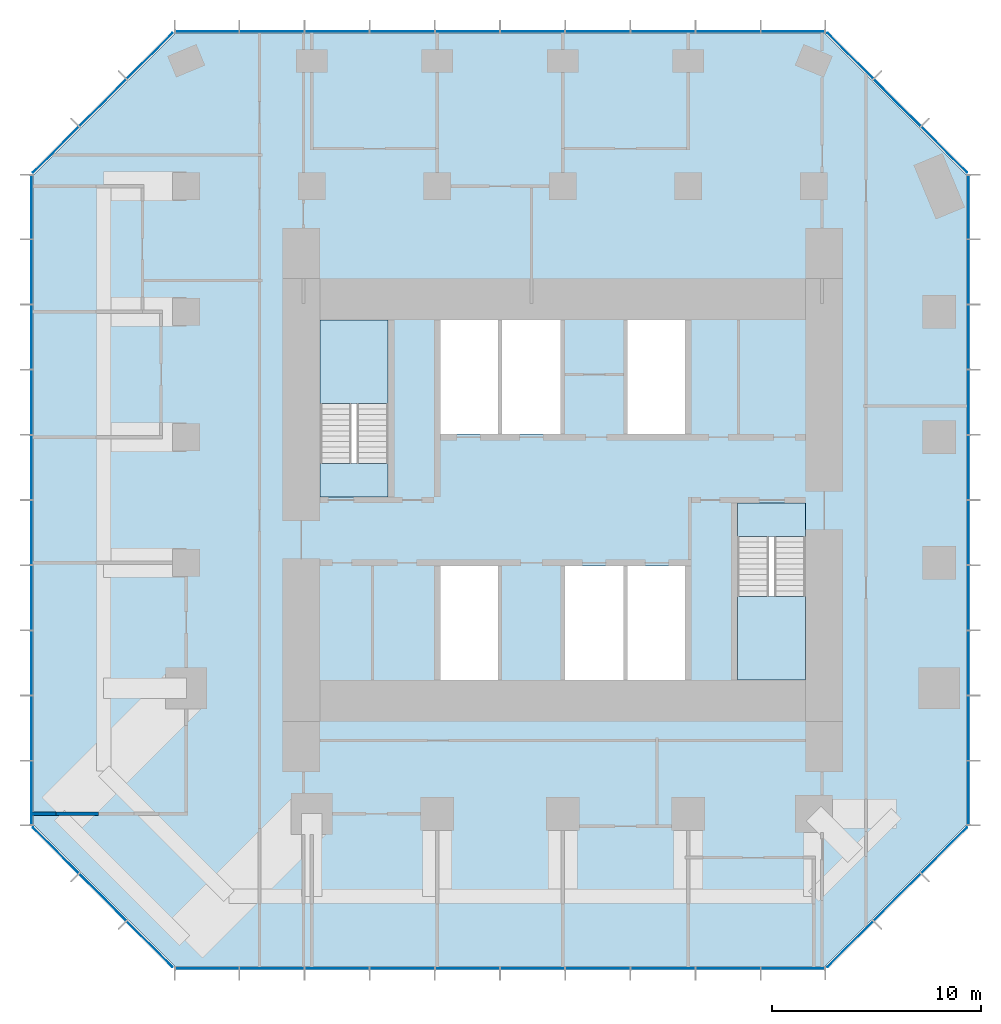
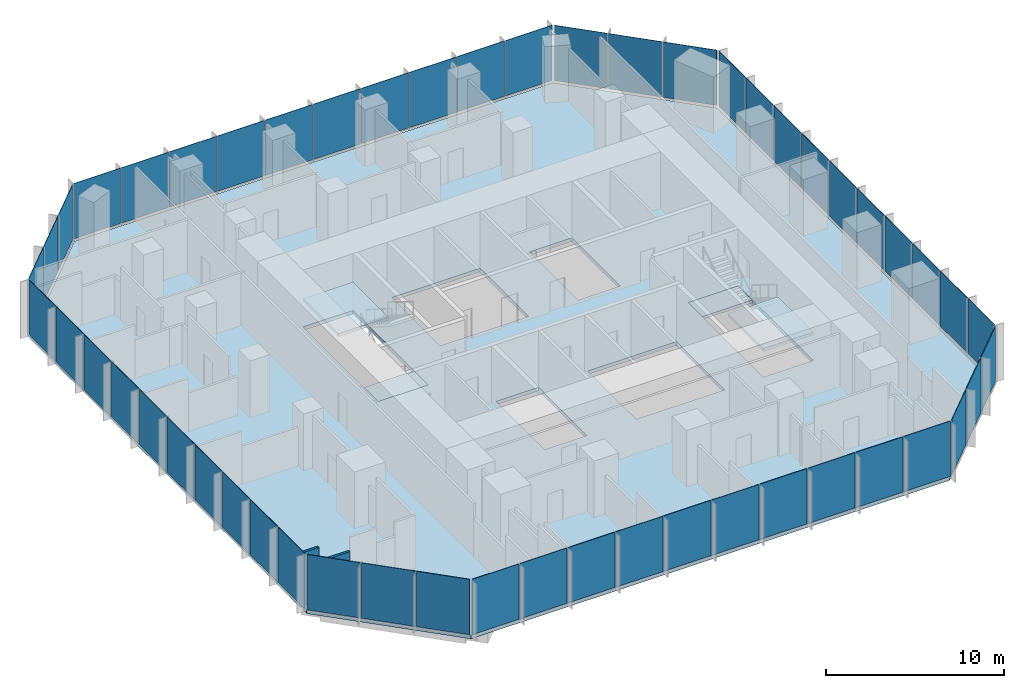
# One storey, part 7 of 12: 52 plates, 5 slabs, 2 walls, 10 elements without a shape of their own.
"""IFC4 building model written with IfcOpenShell, lengths in metres."""

from ifc_helpers import new_model, si_unit, direction, frame, frame_2d, origin, origin_2d, place, context, subcontext, project, spatial, polyline, rectangle, outline, extrude, material, layer, layer_set, type_object, element, aggregate, save


model = new_model("IFC4")

# Units and contexts
model_context = context("Model", 3, precision=1e-05, world=origin(), true_north=direction((0.0, 1.0)))
body_context = subcontext(model_context, "Body", "Model", "MODEL_VIEW")
ifc_project = project(units=[si_unit("LENGTHUNIT", "METRE"), si_unit("AREAUNIT", "SQUARE_METRE"), si_unit("VOLUMEUNIT", "CUBIC_METRE"), si_unit("PLANEANGLEUNIT", "RADIAN"), si_unit("MASSUNIT", "GRAM", prefix="KILO")], contexts=[model_context])

# Site, building, storey
site_placement = place(None, origin())
site = spatial("IfcSite", under=ifc_project, at=site_placement, CompositionType="ELEMENT")
building_placement = place(site_placement, origin())
building = spatial("IfcBuilding", under=site, at=building_placement, Name="Highveld Stack Headquarters", CompositionType="ELEMENT")
storey_placement = place(building_placement, frame((0.0, 0.0, 231.800048828125)))
storey = spatial("IfcBuildingStorey", under=building, at=storey_placement, Name="L57", CompositionType="ELEMENT", Elevation=231.800048828125)

# Curtain wall, plates
ifc_material_1 = material(Name="Aluminium bronze anodised", Category="aluminium")
ifc_layer_1 = layer(ifc_material_1, 0.199951171875)
ifc_layer_set_1 = layer_set([ifc_layer_1], Name="Aluminium bronze anodised")
curtain_wall_type_1 = type_object("IfcCurtainWallType", Name="CW1 TOWER UNITISED CURTAIN WALL", PredefinedType="NOTDEFINED", material=ifc_layer_set_1)
curtain_wall_1_placement = place(storey_placement, origin())
curtain_wall_1 = element("IfcCurtainWall", 1, at=curtain_wall_1_placement, inside=storey, type_object=curtain_wall_type_1, Name="Curtain wall CW1 L57 S", PredefinedType="NOTDEFINED")
ifc_material_2 = material(Name="Glass bronze tinted double glazed unit", Category="glass")
ifc_layer_2 = layer(ifc_material_2, 0.028076171875)
ifc_layer_set_2 = layer_set([ifc_layer_2], Name="Glass bronze tinted double glazed unit")
plate_type_1 = type_object("IfcPlateType", Name="CW1 PANEL BRONZE TINTED DOUBLE GLAZED UNIT", PredefinedType="CURTAIN_PANEL", material=ifc_layer_set_2)
plate_1_placement = place(storey_placement, frame((-11.005615234375, -19.39990234375, 0.10009765625), z_axis=(0.0, 0.0, 1.0), x_axis=(1.0, 0.0, 0.0)))
plate_1 = element("IfcPlate", 2, at=plate_1_placement, type_object=plate_type_1, Name="CW1 panel L57 1.1", PredefinedType="CURTAIN_PANEL", context=body_context, shape_type="SweptSolid", body=[
    extrude(rectangle(XDim=3.0185546875, YDim=0.028076171875, at=origin_2d()), origin(), (0.0, 0.0, 1.0), 3.800048828125),
])
plate_2_placement = place(storey_placement, frame((-7.906005859375, -19.39990234375, 0.10009765625), z_axis=(0.0, 0.0, 1.0), x_axis=(1.0, 0.0, 0.0)))
plate_2 = element("IfcPlate", 3, at=plate_2_placement, type_object=plate_type_1, Name="CW1 panel L57 2.1", PredefinedType="CURTAIN_PANEL", context=body_context, shape_type="SweptSolid", body=[
    extrude(rectangle(XDim=3.051025390625, YDim=0.028076171875, at=origin_2d()), origin(), (0.0, 0.0, 1.0), 3.800048828125),
])
plate_3_placement = place(storey_placement, frame((-4.7900390625, -19.39990234375, 0.10009765625), z_axis=(0.0, 0.0, 1.0), x_axis=(1.0, 0.0, 0.0)))
plate_3 = element("IfcPlate", 4, at=plate_3_placement, type_object=plate_type_1, Name="CW1 panel L57 3.1", PredefinedType="CURTAIN_PANEL", context=body_context, shape_type="SweptSolid", body=[
    extrude(rectangle(XDim=3.051025390625, YDim=0.028076171875, at=origin_2d()), origin(), (0.0, 0.0, 1.0), 3.800048828125),
])
plate_4_placement = place(storey_placement, frame((-1.674072265625, -19.39990234375, 0.10009765625), z_axis=(0.0, 0.0, 1.0), x_axis=(1.0, 0.0, 0.0)))
plate_4 = element("IfcPlate", 5, at=plate_4_placement, type_object=plate_type_1, Name="CW1 panel L57 4.1", PredefinedType="CURTAIN_PANEL", context=body_context, shape_type="SweptSolid", body=[
    extrude(rectangle(XDim=3.051025390625, YDim=0.028076171875, at=origin_2d()), origin(), (0.0, 0.0, 1.0), 3.800048828125),
])
plate_5_placement = place(storey_placement, frame((1.44189453125, -19.39990234375, 0.10009765625), z_axis=(0.0, 0.0, 1.0), x_axis=(1.0, 0.0, 0.0)))
plate_5 = element("IfcPlate", 6, at=plate_5_placement, type_object=plate_type_1, Name="CW1 panel L57 5.1", PredefinedType="CURTAIN_PANEL", context=body_context, shape_type="SweptSolid", body=[
    extrude(rectangle(XDim=3.051025390625, YDim=0.028076171875, at=origin_2d()), origin(), (0.0, 0.0, 1.0), 3.800048828125),
])
plate_6_placement = place(storey_placement, frame((4.55810546875, -19.39990234375, 0.10009765625), z_axis=(0.0, 0.0, 1.0), x_axis=(1.0, 0.0, 0.0)))
plate_6 = element("IfcPlate", 7, at=plate_6_placement, type_object=plate_type_1, Name="CW1 panel L57 6.1", PredefinedType="CURTAIN_PANEL", context=body_context, shape_type="SweptSolid", body=[
    extrude(rectangle(XDim=3.051025390625, YDim=0.028076171875, at=origin_2d()), origin(), (0.0, 0.0, 1.0), 3.800048828125),
])
plate_7_placement = place(storey_placement, frame((7.674072265625, -19.39990234375, 0.10009765625), z_axis=(0.0, 0.0, 1.0), x_axis=(1.0, 0.0, 0.0)))
plate_7 = element("IfcPlate", 8, at=plate_7_placement, type_object=plate_type_1, Name="CW1 panel L57 7.1", PredefinedType="CURTAIN_PANEL", context=body_context, shape_type="SweptSolid", body=[
    extrude(rectangle(XDim=3.051025390625, YDim=0.028076171875, at=origin_2d()), origin(), (0.0, 0.0, 1.0), 3.800048828125),
])
plate_8_placement = place(storey_placement, frame((10.789794921875, -19.39990234375, 0.10009765625), z_axis=(0.0, 0.0, 1.0), x_axis=(1.0, 0.0, 0.0)))
plate_8 = element("IfcPlate", 9, at=plate_8_placement, type_object=plate_type_1, Name="CW1 panel L57 8.1", PredefinedType="CURTAIN_PANEL", context=body_context, shape_type="SweptSolid", body=[
    extrude(rectangle(XDim=3.051025390625, YDim=0.028076171875, at=origin_2d()), origin(), (0.0, 0.0, 1.0), 3.800048828125),
])
plate_9_placement = place(storey_placement, frame((13.906005859375, -19.39990234375, 0.10009765625), z_axis=(0.0, 0.0, 1.0), x_axis=(1.0, 0.0, 0.0)))
plate_9 = element("IfcPlate", 10, at=plate_9_placement, type_object=plate_type_1, Name="CW1 panel L57 9.1", PredefinedType="CURTAIN_PANEL", context=body_context, shape_type="SweptSolid", body=[
    extrude(rectangle(XDim=3.051025390625, YDim=0.028076171875, at=origin_2d()), origin(), (0.0, 0.0, 1.0), 3.800048828125),
])
plate_10_placement = place(storey_placement, frame((17.005615234375, -19.39990234375, 0.10009765625), z_axis=(0.0, 0.0, 1.0), x_axis=(1.0, 0.0, 0.0)))
plate_10 = element("IfcPlate", 11, at=plate_10_placement, type_object=plate_type_1, Name="CW1 panel L57 10.1", PredefinedType="CURTAIN_PANEL", context=body_context, shape_type="SweptSolid", body=[
    extrude(rectangle(XDim=3.0185546875, YDim=0.028076171875, at=origin_2d()), origin(), (0.0, 0.0, 1.0), 3.800048828125),
])
aggregate(curtain_wall_1, [plate_1, plate_2, plate_3, plate_4, plate_5, plate_6, plate_7, plate_8, plate_9, plate_10])

curtain_wall_2_placement = place(storey_placement, origin())
curtain_wall_2 = element("IfcCurtainWall", 12, at=curtain_wall_2_placement, inside=storey, type_object=curtain_wall_type_1, Name="Curtain wall CW1 L57 E", PredefinedType="NOTDEFINED")
plate_11_placement = place(storey_placement, frame((25.39990234375, -11.005615234375, 0.10009765625), z_axis=(0.0, 0.0, 1.0), x_axis=(0.0, 1.0, 0.0)))
plate_11 = element("IfcPlate", 13, at=plate_11_placement, type_object=plate_type_1, Name="CW1 panel L57 1.1", PredefinedType="CURTAIN_PANEL", context=body_context, shape_type="SweptSolid", body=[
    extrude(rectangle(XDim=3.0185546875, YDim=0.028076171875, at=origin_2d()), origin(), (0.0, 0.0, 1.0), 3.800048828125),
])
plate_12_placement = place(storey_placement, frame((25.39990234375, -7.906005859375, 0.10009765625), z_axis=(0.0, 0.0, 1.0), x_axis=(0.0, 1.0, 0.0)))
plate_12 = element("IfcPlate", 14, at=plate_12_placement, type_object=plate_type_1, Name="CW1 panel L57 2.1", PredefinedType="CURTAIN_PANEL", context=body_context, shape_type="SweptSolid", body=[
    extrude(rectangle(XDim=3.051025390625, YDim=0.028076171875, at=origin_2d()), origin(), (0.0, 0.0, 1.0), 3.800048828125),
])
plate_13_placement = place(storey_placement, frame((25.39990234375, -4.7900390625, 0.10009765625), z_axis=(0.0, 0.0, 1.0), x_axis=(0.0, 1.0, 0.0)))
plate_13 = element("IfcPlate", 15, at=plate_13_placement, type_object=plate_type_1, Name="CW1 panel L57 3.1", PredefinedType="CURTAIN_PANEL", context=body_context, shape_type="SweptSolid", body=[
    extrude(rectangle(XDim=3.051025390625, YDim=0.028076171875, at=origin_2d()), origin(), (0.0, 0.0, 1.0), 3.800048828125),
])
plate_14_placement = place(storey_placement, frame((25.39990234375, -1.674072265625, 0.10009765625), z_axis=(0.0, 0.0, 1.0), x_axis=(0.0, 1.0, 0.0)))
plate_14 = element("IfcPlate", 16, at=plate_14_placement, type_object=plate_type_1, Name="CW1 panel L57 4.1", PredefinedType="CURTAIN_PANEL", context=body_context, shape_type="SweptSolid", body=[
    extrude(rectangle(XDim=3.051025390625, YDim=0.028076171875, at=origin_2d()), origin(), (0.0, 0.0, 1.0), 3.800048828125),
])
plate_15_placement = place(storey_placement, frame((25.39990234375, 1.44189453125, 0.10009765625), z_axis=(0.0, 0.0, 1.0), x_axis=(0.0, 1.0, 0.0)))
plate_15 = element("IfcPlate", 17, at=plate_15_placement, type_object=plate_type_1, Name="CW1 panel L57 5.1", PredefinedType="CURTAIN_PANEL", context=body_context, shape_type="SweptSolid", body=[
    extrude(rectangle(XDim=3.051025390625, YDim=0.028076171875, at=origin_2d()), origin(), (0.0, 0.0, 1.0), 3.800048828125),
])
plate_16_placement = place(storey_placement, frame((25.39990234375, 4.55810546875, 0.10009765625), z_axis=(0.0, 0.0, 1.0), x_axis=(0.0, 1.0, 0.0)))
plate_16 = element("IfcPlate", 18, at=plate_16_placement, type_object=plate_type_1, Name="CW1 panel L57 6.1", PredefinedType="CURTAIN_PANEL", context=body_context, shape_type="SweptSolid", body=[
    extrude(rectangle(XDim=3.051025390625, YDim=0.028076171875, at=origin_2d()), origin(), (0.0, 0.0, 1.0), 3.800048828125),
])
plate_17_placement = place(storey_placement, frame((25.39990234375, 7.674072265625, 0.10009765625), z_axis=(0.0, 0.0, 1.0), x_axis=(0.0, 1.0, 0.0)))
plate_17 = element("IfcPlate", 19, at=plate_17_placement, type_object=plate_type_1, Name="CW1 panel L57 7.1", PredefinedType="CURTAIN_PANEL", context=body_context, shape_type="SweptSolid", body=[
    extrude(rectangle(XDim=3.051025390625, YDim=0.028076171875, at=origin_2d()), origin(), (0.0, 0.0, 1.0), 3.800048828125),
])
plate_18_placement = place(storey_placement, frame((25.39990234375, 10.789794921875, 0.10009765625), z_axis=(0.0, 0.0, 1.0), x_axis=(0.0, 1.0, 0.0)))
plate_18 = element("IfcPlate", 20, at=plate_18_placement, type_object=plate_type_1, Name="CW1 panel L57 8.1", PredefinedType="CURTAIN_PANEL", context=body_context, shape_type="SweptSolid", body=[
    extrude(rectangle(XDim=3.051025390625, YDim=0.028076171875, at=origin_2d()), origin(), (0.0, 0.0, 1.0), 3.800048828125),
])
plate_19_placement = place(storey_placement, frame((25.39990234375, 13.906005859375, 0.10009765625), z_axis=(0.0, 0.0, 1.0), x_axis=(0.0, 1.0, 0.0)))
plate_19 = element("IfcPlate", 21, at=plate_19_placement, type_object=plate_type_1, Name="CW1 panel L57 9.1", PredefinedType="CURTAIN_PANEL", context=body_context, shape_type="SweptSolid", body=[
    extrude(rectangle(XDim=3.051025390625, YDim=0.028076171875, at=origin_2d()), origin(), (0.0, 0.0, 1.0), 3.800048828125),
])
plate_20_placement = place(storey_placement, frame((25.39990234375, 17.005615234375, 0.10009765625), z_axis=(0.0, 0.0, 1.0), x_axis=(0.0, 1.0, 0.0)))
plate_20 = element("IfcPlate", 22, at=plate_20_placement, type_object=plate_type_1, Name="CW1 panel L57 10.1", PredefinedType="CURTAIN_PANEL", context=body_context, shape_type="SweptSolid", body=[
    extrude(rectangle(XDim=3.0185546875, YDim=0.028076171875, at=origin_2d()), origin(), (0.0, 0.0, 1.0), 3.800048828125),
])
aggregate(curtain_wall_2, [plate_11, plate_12, plate_13, plate_14, plate_15, plate_16, plate_17, plate_18, plate_19, plate_20])

curtain_wall_3_placement = place(storey_placement, origin())
curtain_wall_3 = element("IfcCurtainWall", 23, at=curtain_wall_3_placement, inside=storey, type_object=curtain_wall_type_1, Name="Curtain wall CW1 L57 N", PredefinedType="NOTDEFINED")
plate_21_placement = place(storey_placement, frame((17.005615234375, 25.39990234375, 0.10009765625), z_axis=(0.0, 0.0, 1.0), x_axis=(-1.0, 0.0, 0.0)))
plate_21 = element("IfcPlate", 24, at=plate_21_placement, type_object=plate_type_1, Name="CW1 panel L57 1.1", PredefinedType="CURTAIN_PANEL", context=body_context, shape_type="SweptSolid", body=[
    extrude(rectangle(XDim=3.0185546875, YDim=0.028076171875, at=origin_2d()), origin(), (0.0, 0.0, 1.0), 3.800048828125),
])
plate_22_placement = place(storey_placement, frame((13.906005859375, 25.39990234375, 0.10009765625), z_axis=(0.0, 0.0, 1.0), x_axis=(-1.0, 0.0, 0.0)))
plate_22 = element("IfcPlate", 25, at=plate_22_placement, type_object=plate_type_1, Name="CW1 panel L57 2.1", PredefinedType="CURTAIN_PANEL", context=body_context, shape_type="SweptSolid", body=[
    extrude(rectangle(XDim=3.051025390625, YDim=0.028076171875, at=origin_2d()), origin(), (0.0, 0.0, 1.0), 3.800048828125),
])
plate_23_placement = place(storey_placement, frame((10.7900390625, 25.39990234375, 0.10009765625), z_axis=(0.0, 0.0, 1.0), x_axis=(-1.0, 0.0, 0.0)))
plate_23 = element("IfcPlate", 26, at=plate_23_placement, type_object=plate_type_1, Name="CW1 panel L57 3.1", PredefinedType="CURTAIN_PANEL", context=body_context, shape_type="SweptSolid", body=[
    extrude(rectangle(XDim=3.051025390625, YDim=0.028076171875, at=origin_2d()), origin(), (0.0, 0.0, 1.0), 3.800048828125),
])
plate_24_placement = place(storey_placement, frame((7.674072265625, 25.39990234375, 0.10009765625), z_axis=(0.0, 0.0, 1.0), x_axis=(-1.0, 0.0, 0.0)))
plate_24 = element("IfcPlate", 27, at=plate_24_placement, type_object=plate_type_1, Name="CW1 panel L57 4.1", PredefinedType="CURTAIN_PANEL", context=body_context, shape_type="SweptSolid", body=[
    extrude(rectangle(XDim=3.051025390625, YDim=0.028076171875, at=origin_2d()), origin(), (0.0, 0.0, 1.0), 3.800048828125),
])
plate_25_placement = place(storey_placement, frame((4.55810546875, 25.39990234375, 0.10009765625), z_axis=(0.0, 0.0, 1.0), x_axis=(-1.0, 0.0, 0.0)))
plate_25 = element("IfcPlate", 28, at=plate_25_placement, type_object=plate_type_1, Name="CW1 panel L57 5.1", PredefinedType="CURTAIN_PANEL", context=body_context, shape_type="SweptSolid", body=[
    extrude(rectangle(XDim=3.051025390625, YDim=0.028076171875, at=origin_2d()), origin(), (0.0, 0.0, 1.0), 3.800048828125),
])
plate_26_placement = place(storey_placement, frame((1.44189453125, 25.39990234375, 0.10009765625), z_axis=(0.0, 0.0, 1.0), x_axis=(-1.0, 0.0, 0.0)))
plate_26 = element("IfcPlate", 29, at=plate_26_placement, type_object=plate_type_1, Name="CW1 panel L57 6.1", PredefinedType="CURTAIN_PANEL", context=body_context, shape_type="SweptSolid", body=[
    extrude(rectangle(XDim=3.051025390625, YDim=0.028076171875, at=origin_2d()), origin(), (0.0, 0.0, 1.0), 3.800048828125),
])
plate_27_placement = place(storey_placement, frame((-1.674072265625, 25.39990234375, 0.10009765625), z_axis=(0.0, 0.0, 1.0), x_axis=(-1.0, 0.0, 0.0)))
plate_27 = element("IfcPlate", 30, at=plate_27_placement, type_object=plate_type_1, Name="CW1 panel L57 7.1", PredefinedType="CURTAIN_PANEL", context=body_context, shape_type="SweptSolid", body=[
    extrude(rectangle(XDim=3.051025390625, YDim=0.028076171875, at=origin_2d()), origin(), (0.0, 0.0, 1.0), 3.800048828125),
])
plate_28_placement = place(storey_placement, frame((-4.789794921875, 25.39990234375, 0.10009765625), z_axis=(0.0, 0.0, 1.0), x_axis=(-1.0, 0.0, 0.0)))
plate_28 = element("IfcPlate", 31, at=plate_28_placement, type_object=plate_type_1, Name="CW1 panel L57 8.1", PredefinedType="CURTAIN_PANEL", context=body_context, shape_type="SweptSolid", body=[
    extrude(rectangle(XDim=3.051025390625, YDim=0.028076171875, at=origin_2d()), origin(), (0.0, 0.0, 1.0), 3.800048828125),
])
plate_29_placement = place(storey_placement, frame((-7.906005859375, 25.39990234375, 0.10009765625), z_axis=(0.0, 0.0, 1.0), x_axis=(-1.0, 0.0, 0.0)))
plate_29 = element("IfcPlate", 32, at=plate_29_placement, type_object=plate_type_1, Name="CW1 panel L57 9.1", PredefinedType="CURTAIN_PANEL", context=body_context, shape_type="SweptSolid", body=[
    extrude(rectangle(XDim=3.051025390625, YDim=0.028076171875, at=origin_2d()), origin(), (0.0, 0.0, 1.0), 3.800048828125),
])
plate_30_placement = place(storey_placement, frame((-11.005615234375, 25.39990234375, 0.10009765625), z_axis=(0.0, 0.0, 1.0), x_axis=(-1.0, 0.0, 0.0)))
plate_30 = element("IfcPlate", 33, at=plate_30_placement, type_object=plate_type_1, Name="CW1 panel L57 10.1", PredefinedType="CURTAIN_PANEL", context=body_context, shape_type="SweptSolid", body=[
    extrude(rectangle(XDim=3.0185546875, YDim=0.028076171875, at=origin_2d()), origin(), (0.0, 0.0, 1.0), 3.800048828125),
])
aggregate(curtain_wall_3, [plate_21, plate_22, plate_23, plate_24, plate_25, plate_26, plate_27, plate_28, plate_29, plate_30])

curtain_wall_4_placement = place(storey_placement, origin())
curtain_wall_4 = element("IfcCurtainWall", 34, at=curtain_wall_4_placement, inside=storey, type_object=curtain_wall_type_1, Name="Curtain wall CW1 L57 W", PredefinedType="NOTDEFINED")
plate_31_placement = place(storey_placement, frame((-19.39990234375, 17.005615234375, 0.10009765625), z_axis=(0.0, 0.0, 1.0), x_axis=(0.0, -1.0, 0.0)))
plate_31 = element("IfcPlate", 35, at=plate_31_placement, type_object=plate_type_1, Name="CW1 panel L57 1.1", PredefinedType="CURTAIN_PANEL", context=body_context, shape_type="SweptSolid", body=[
    extrude(rectangle(XDim=3.0185546875, YDim=0.028076171875, at=origin_2d()), origin(), (0.0, 0.0, 1.0), 3.800048828125),
])
plate_32_placement = place(storey_placement, frame((-19.39990234375, 13.906005859375, 0.10009765625), z_axis=(0.0, 0.0, 1.0), x_axis=(0.0, -1.0, 0.0)))
plate_32 = element("IfcPlate", 36, at=plate_32_placement, type_object=plate_type_1, Name="CW1 panel L57 2.1", PredefinedType="CURTAIN_PANEL", context=body_context, shape_type="SweptSolid", body=[
    extrude(rectangle(XDim=3.051025390625, YDim=0.028076171875, at=origin_2d()), origin(), (0.0, 0.0, 1.0), 3.800048828125),
])
plate_33_placement = place(storey_placement, frame((-19.39990234375, 10.7900390625, 0.10009765625), z_axis=(0.0, 0.0, 1.0), x_axis=(0.0, -1.0, 0.0)))
plate_33 = element("IfcPlate", 37, at=plate_33_placement, type_object=plate_type_1, Name="CW1 panel L57 3.1", PredefinedType="CURTAIN_PANEL", context=body_context, shape_type="SweptSolid", body=[
    extrude(rectangle(XDim=3.051025390625, YDim=0.028076171875, at=origin_2d()), origin(), (0.0, 0.0, 1.0), 3.800048828125),
])
plate_34_placement = place(storey_placement, frame((-19.39990234375, 7.674072265625, 0.10009765625), z_axis=(0.0, 0.0, 1.0), x_axis=(0.0, -1.0, 0.0)))
plate_34 = element("IfcPlate", 38, at=plate_34_placement, type_object=plate_type_1, Name="CW1 panel L57 4.1", PredefinedType="CURTAIN_PANEL", context=body_context, shape_type="SweptSolid", body=[
    extrude(rectangle(XDim=3.051025390625, YDim=0.028076171875, at=origin_2d()), origin(), (0.0, 0.0, 1.0), 3.800048828125),
])
plate_35_placement = place(storey_placement, frame((-19.39990234375, 4.55810546875, 0.10009765625), z_axis=(0.0, 0.0, 1.0), x_axis=(0.0, -1.0, 0.0)))
plate_35 = element("IfcPlate", 39, at=plate_35_placement, type_object=plate_type_1, Name="CW1 panel L57 5.1", PredefinedType="CURTAIN_PANEL", context=body_context, shape_type="SweptSolid", body=[
    extrude(rectangle(XDim=3.051025390625, YDim=0.028076171875, at=origin_2d()), origin(), (0.0, 0.0, 1.0), 3.800048828125),
])
plate_36_placement = place(storey_placement, frame((-19.39990234375, 1.44189453125, 0.10009765625), z_axis=(0.0, 0.0, 1.0), x_axis=(0.0, -1.0, 0.0)))
plate_36 = element("IfcPlate", 40, at=plate_36_placement, type_object=plate_type_1, Name="CW1 panel L57 6.1", PredefinedType="CURTAIN_PANEL", context=body_context, shape_type="SweptSolid", body=[
    extrude(rectangle(XDim=3.051025390625, YDim=0.028076171875, at=origin_2d()), origin(), (0.0, 0.0, 1.0), 3.800048828125),
])
plate_37_placement = place(storey_placement, frame((-19.39990234375, -1.674072265625, 0.10009765625), z_axis=(0.0, 0.0, 1.0), x_axis=(0.0, -1.0, 0.0)))
plate_37 = element("IfcPlate", 41, at=plate_37_placement, type_object=plate_type_1, Name="CW1 panel L57 7.1", PredefinedType="CURTAIN_PANEL", context=body_context, shape_type="SweptSolid", body=[
    extrude(rectangle(XDim=3.051025390625, YDim=0.028076171875, at=origin_2d()), origin(), (0.0, 0.0, 1.0), 3.800048828125),
])
plate_38_placement = place(storey_placement, frame((-19.39990234375, -4.789794921875, 0.10009765625), z_axis=(0.0, 0.0, 1.0), x_axis=(0.0, -1.0, 0.0)))
plate_38 = element("IfcPlate", 42, at=plate_38_placement, type_object=plate_type_1, Name="CW1 panel L57 8.1", PredefinedType="CURTAIN_PANEL", context=body_context, shape_type="SweptSolid", body=[
    extrude(rectangle(XDim=3.051025390625, YDim=0.028076171875, at=origin_2d()), origin(), (0.0, 0.0, 1.0), 3.800048828125),
])
plate_39_placement = place(storey_placement, frame((-19.39990234375, -7.906005859375, 0.10009765625), z_axis=(0.0, 0.0, 1.0), x_axis=(0.0, -1.0, 0.0)))
plate_39 = element("IfcPlate", 43, at=plate_39_placement, type_object=plate_type_1, Name="CW1 panel L57 9.1", PredefinedType="CURTAIN_PANEL", context=body_context, shape_type="SweptSolid", body=[
    extrude(rectangle(XDim=3.051025390625, YDim=0.028076171875, at=origin_2d()), origin(), (0.0, 0.0, 1.0), 3.800048828125),
])
plate_40_placement = place(storey_placement, frame((-19.39990234375, -11.005615234375, 0.10009765625), z_axis=(0.0, 0.0, 1.0), x_axis=(0.0, -1.0, 0.0)))
plate_40 = element("IfcPlate", 44, at=plate_40_placement, type_object=plate_type_1, Name="CW1 panel L57 10.1", PredefinedType="CURTAIN_PANEL", context=body_context, shape_type="SweptSolid", body=[
    extrude(rectangle(XDim=3.0185546875, YDim=0.028076171875, at=origin_2d()), origin(), (0.0, 0.0, 1.0), 3.800048828125),
])
aggregate(curtain_wall_4, [plate_31, plate_32, plate_33, plate_34, plate_35, plate_36, plate_37, plate_38, plate_39, plate_40])

ifc_material_3 = material(Name="Aluminium bronze anodised", Category="aluminium")
ifc_layer_3 = layer(ifc_material_3, 0.199951171875)
ifc_layer_set_3 = layer_set([ifc_layer_3], Name="Aluminium bronze anodised")
curtain_wall_type_2 = type_object("IfcCurtainWallType", Name="CW2 TOWER CHAMFER UNITISED CURTAIN WALL", PredefinedType="NOTDEFINED", material=ifc_layer_set_3)
curtain_wall_5_placement = place(storey_placement, origin())
curtain_wall_5 = element("IfcCurtainWall", 45, at=curtain_wall_5_placement, inside=storey, type_object=curtain_wall_type_2, Name="Curtain wall CW2 L57 SE", PredefinedType="NOTDEFINED")
ifc_material_4 = material(Name="Glass bronze tinted double glazed unit", Category="glass")
ifc_layer_4 = layer(ifc_material_4, 0.028076171875)
ifc_layer_set_4 = layer_set([ifc_layer_4], Name="Glass bronze tinted double glazed unit")
plate_type_2 = type_object("IfcPlateType", Name="CW2 PANEL BRONZE TINTED DOUBLE GLAZED UNIT", PredefinedType="CURTAIN_PANEL", material=ifc_layer_set_4)
plate_41_placement = place(storey_placement, frame((19.740478515625, -18.239501953125, 0.10009765625), z_axis=(0.0, 0.0, 1.0), x_axis=(0.707106781187, 0.707106781187, 0.0)))
plate_41 = element("IfcPlate", 46, at=plate_41_placement, type_object=plate_type_2, Name="CW2 panel L57 1.1", PredefinedType="CURTAIN_PANEL", context=body_context, shape_type="SweptSolid", body=[
    extrude(rectangle(XDim=3.08251953125, YDim=0.028076171875, at=origin_2d()), origin(), (0.0, 0.0, 1.0), 3.800048828125),
])
plate_42_placement = place(storey_placement, frame((21.989990234375, -15.989990234375, 0.10009765625), z_axis=(0.0, 0.0, 1.0), x_axis=(0.707106781187, 0.707106781187, 0.0)))
plate_42 = element("IfcPlate", 47, at=plate_42_placement, type_object=plate_type_2, Name="CW2 panel L57 2.1", PredefinedType="CURTAIN_PANEL", context=body_context, shape_type="SweptSolid", body=[
    extrude(rectangle(XDim=3.14990234375, YDim=0.028076171875, at=origin_2d()), origin(), (0.0, 0.0, 1.0), 3.800048828125),
])
plate_43_placement = place(storey_placement, frame((24.239501953125, -13.740478515625, 0.10009765625), z_axis=(0.0, 0.0, 1.0), x_axis=(0.707106781187, 0.707106781187, 0.0)))
plate_43 = element("IfcPlate", 48, at=plate_43_placement, type_object=plate_type_2, Name="CW2 panel L57 3.1", PredefinedType="CURTAIN_PANEL", context=body_context, shape_type="SweptSolid", body=[
    extrude(rectangle(XDim=3.08251953125, YDim=0.028076171875, at=origin_2d()), origin(), (0.0, 0.0, 1.0), 3.800048828125),
])
aggregate(curtain_wall_5, [plate_41, plate_42, plate_43])

curtain_wall_6_placement = place(storey_placement, origin())
curtain_wall_6 = element("IfcCurtainWall", 49, at=curtain_wall_6_placement, inside=storey, type_object=curtain_wall_type_2, Name="Curtain wall CW2 L57 NE", PredefinedType="NOTDEFINED")
plate_44_placement = place(storey_placement, frame((24.239501953125, 19.740478515625, 0.10009765625), z_axis=(0.0, 0.0, 1.0), x_axis=(-0.707106781187, 0.707106781187, 0.0)))
plate_44 = element("IfcPlate", 50, at=plate_44_placement, type_object=plate_type_2, Name="CW2 panel L57 1.1", PredefinedType="CURTAIN_PANEL", context=body_context, shape_type="SweptSolid", body=[
    extrude(rectangle(XDim=3.08251953125, YDim=0.028076171875, at=origin_2d()), origin(), (0.0, 0.0, 1.0), 3.800048828125),
])
plate_45_placement = place(storey_placement, frame((21.989990234375, 21.989990234375, 0.10009765625), z_axis=(0.0, 0.0, 1.0), x_axis=(-0.707106781187, 0.707106781187, 0.0)))
plate_45 = element("IfcPlate", 51, at=plate_45_placement, type_object=plate_type_2, Name="CW2 panel L57 2.1", PredefinedType="CURTAIN_PANEL", context=body_context, shape_type="SweptSolid", body=[
    extrude(rectangle(XDim=3.14990234375, YDim=0.028076171875, at=origin_2d()), origin(), (0.0, 0.0, 1.0), 3.800048828125),
])
plate_46_placement = place(storey_placement, frame((19.740478515625, 24.239501953125, 0.10009765625), z_axis=(0.0, 0.0, 1.0), x_axis=(-0.707106781187, 0.707106781187, 0.0)))
plate_46 = element("IfcPlate", 52, at=plate_46_placement, type_object=plate_type_2, Name="CW2 panel L57 3.1", PredefinedType="CURTAIN_PANEL", context=body_context, shape_type="SweptSolid", body=[
    extrude(rectangle(XDim=3.08251953125, YDim=0.028076171875, at=origin_2d()), origin(), (0.0, 0.0, 1.0), 3.800048828125),
])
aggregate(curtain_wall_6, [plate_44, plate_45, plate_46])

curtain_wall_7_placement = place(storey_placement, origin())
curtain_wall_7 = element("IfcCurtainWall", 53, at=curtain_wall_7_placement, inside=storey, type_object=curtain_wall_type_2, Name="Curtain wall CW2 L57 NW", PredefinedType="NOTDEFINED")
plate_47_placement = place(storey_placement, frame((-13.740478515625, 24.239501953125, 0.10009765625), z_axis=(0.0, 0.0, 1.0), x_axis=(-0.707106781187, -0.707106781187, 0.0)))
plate_47 = element("IfcPlate", 54, at=plate_47_placement, type_object=plate_type_2, Name="CW2 panel L57 1.1", PredefinedType="CURTAIN_PANEL", context=body_context, shape_type="SweptSolid", body=[
    extrude(rectangle(XDim=3.08251953125, YDim=0.028076171875, at=origin_2d()), origin(), (0.0, 0.0, 1.0), 3.800048828125),
])
plate_48_placement = place(storey_placement, frame((-15.989990234375, 21.989990234375, 0.10009765625), z_axis=(0.0, 0.0, 1.0), x_axis=(-0.707106781187, -0.707106781187, 0.0)))
plate_48 = element("IfcPlate", 55, at=plate_48_placement, type_object=plate_type_2, Name="CW2 panel L57 2.1", PredefinedType="CURTAIN_PANEL", context=body_context, shape_type="SweptSolid", body=[
    extrude(rectangle(XDim=3.14990234375, YDim=0.028076171875, at=origin_2d()), origin(), (0.0, 0.0, 1.0), 3.800048828125),
])
plate_49_placement = place(storey_placement, frame((-18.239501953125, 19.740478515625, 0.10009765625), z_axis=(0.0, 0.0, 1.0), x_axis=(-0.707106781187, -0.707106781187, 0.0)))
plate_49 = element("IfcPlate", 56, at=plate_49_placement, type_object=plate_type_2, Name="CW2 panel L57 3.1", PredefinedType="CURTAIN_PANEL", context=body_context, shape_type="SweptSolid", body=[
    extrude(rectangle(XDim=3.08251953125, YDim=0.028076171875, at=origin_2d()), origin(), (0.0, 0.0, 1.0), 3.800048828125),
])
aggregate(curtain_wall_7, [plate_47, plate_48, plate_49])

curtain_wall_8_placement = place(storey_placement, origin())
curtain_wall_8 = element("IfcCurtainWall", 57, at=curtain_wall_8_placement, inside=storey, type_object=curtain_wall_type_2, Name="Curtain wall CW2 L57 SW", PredefinedType="NOTDEFINED")
plate_50_placement = place(storey_placement, frame((-18.239501953125, -13.740478515625, 0.10009765625), z_axis=(0.0, 0.0, 1.0), x_axis=(0.707106781187, -0.707106781187, 0.0)))
plate_50 = element("IfcPlate", 58, at=plate_50_placement, type_object=plate_type_2, Name="CW2 panel L57 1.1", PredefinedType="CURTAIN_PANEL", context=body_context, shape_type="SweptSolid", body=[
    extrude(rectangle(XDim=3.08251953125, YDim=0.028076171875, at=origin_2d()), origin(), (0.0, 0.0, 1.0), 3.800048828125),
])
plate_51_placement = place(storey_placement, frame((-15.989990234375, -15.989990234375, 0.10009765625), z_axis=(0.0, 0.0, 1.0), x_axis=(0.707106781187, -0.707106781187, 0.0)))
plate_51 = element("IfcPlate", 59, at=plate_51_placement, type_object=plate_type_2, Name="CW2 panel L57 2.1", PredefinedType="CURTAIN_PANEL", context=body_context, shape_type="SweptSolid", body=[
    extrude(rectangle(XDim=3.14990234375, YDim=0.028076171875, at=origin_2d()), origin(), (0.0, 0.0, 1.0), 3.800048828125),
])
plate_52_placement = place(storey_placement, frame((-13.740478515625, -18.239501953125, 0.10009765625), z_axis=(0.0, 0.0, 1.0), x_axis=(0.707106781187, -0.707106781187, 0.0)))
plate_52 = element("IfcPlate", 60, at=plate_52_placement, type_object=plate_type_2, Name="CW2 panel L57 3.1", PredefinedType="CURTAIN_PANEL", context=body_context, shape_type="SweptSolid", body=[
    extrude(rectangle(XDim=3.08251953125, YDim=0.028076171875, at=origin_2d()), origin(), (0.0, 0.0, 1.0), 3.800048828125),
])
aggregate(curtain_wall_8, [plate_50, plate_51, plate_52])

# Slab
ifc_material_5 = material(Name="Concrete C60/75", Category="concrete")
ifc_layer_5 = layer(ifc_material_5, 0.25)
ifc_layer_set_5 = layer_set([ifc_layer_5], Name="Concrete C60/75")
slab_type_1 = type_object("IfcSlabType", Name="PT FLAT SLAB 250", PredefinedType="FLOOR", material=ifc_layer_set_5)
slab_1_placement = place(storey_placement, frame((0.0, 0.0, -0.25)))
element("IfcSlab", 61, at=slab_1_placement, inside=storey, type_object=slab_type_1, Name="Floor slab L57", PredefinedType="FLOOR", context=body_context, shape_type="SweptSolid", body=[
    extrude(outline(polyline([(-12.53857421875, -19.300048828125), (18.53857421875, -19.300048828125), (25.300048828125, -12.53857421875), (25.300048828125, 18.53857421875), (18.53857421875, 25.300048828125), (-12.53857421875, 25.300048828125), (-19.300048828125, 18.53857421875), (-19.300048828125, -12.53857421875), (-12.53857421875, -19.300048828125)]), holes=[polyline([(0.14990234375, 6.14990234375), (5.89990234375, 6.14990234375), (5.89990234375, 11.60009765625), (0.14990234375, 11.60009765625), (0.14990234375, 6.14990234375)]), polyline([(9.10009765625, 6.14990234375), (11.85009765625, 6.14990234375), (11.85009765625, 11.60009765625), (9.10009765625, 11.60009765625), (9.10009765625, 6.14990234375)]), polyline([(6.10009765625, -5.60009765625), (11.85009765625, -5.60009765625), (11.85009765625, -0.14990234375), (6.10009765625, -0.14990234375), (6.10009765625, -5.60009765625)]), polyline([(0.14990234375, -5.60009765625), (2.89990234375, -5.60009765625), (2.89990234375, -0.14990234375), (0.14990234375, -0.14990234375), (0.14990234375, -5.60009765625)]), polyline([(-5.60009765625, 3.14990234375), (-2.35009765625, 3.14990234375), (-2.35009765625, 11.60009765625), (-5.60009765625, 11.60009765625), (-5.60009765625, 3.14990234375)]), polyline([(14.35009765625, -5.60009765625), (17.60009765625, -5.60009765625), (17.60009765625, 2.85009765625), (14.35009765625, 2.85009765625), (14.35009765625, -5.60009765625)])]), origin(), (0.0, 0.0, 1.0), 0.25),
])

# Stair, slabs
ifc_material_6 = material(Name="Concrete C40/50, precast", Category="concrete")
stair_type_1 = type_object("IfcStairType", Name="STAIR S1 HALF TURN 1500", PredefinedType="HALF_TURN_STAIR", material=ifc_material_6)
stair_1_placement = place(storey_placement, origin())
stair_1 = element("IfcStair", 62, at=stair_1_placement, inside=storey, type_object=stair_type_1, Name="Stair S1 L57", PredefinedType="HALF_TURN_STAIR")
ifc_material_7 = material(Name="Concrete C40/50, precast", Category="concrete")
ifc_layer_6 = layer(ifc_material_7, 0.199951171875)
ifc_layer_set_6 = layer_set([ifc_layer_6], Name="Concrete C40/50, precast")
slab_type_2 = type_object("IfcSlabType", Name="STAIR LANDING 200", PredefinedType="LANDING", material=ifc_layer_set_6)
slab_2_placement = place(storey_placement, frame((0.0, 0.0, 1.75)))
slab_2 = element("IfcSlab", 63, at=slab_2_placement, type_object=slab_type_2, Name="S1 landing 1", PredefinedType="LANDING", context=body_context, shape_type="SweptSolid", body=[
    extrude(outline(polyline([(-5.60009765625, 7.610107421875), (-2.35009765625, 7.610107421875), (-2.35009765625, 11.60009765625), (-5.60009765625, 11.60009765625), (-5.60009765625, 7.610107421875)])), origin(), (0.0, 0.0, 1.0), 0.199951171875),
])
slab_3_placement = place(storey_placement, frame((0.0, 0.0, -0.199951171875)))
slab_3 = element("IfcSlab", 64, at=slab_3_placement, type_object=slab_type_2, Name="S1 landing 2", PredefinedType="LANDING", context=body_context, shape_type="SweptSolid", body=[
    extrude(outline(polyline([(-5.60009765625, 3.14990234375), (-2.35009765625, 3.14990234375), (-2.35009765625, 4.75), (-5.60009765625, 4.75), (-5.60009765625, 3.14990234375)])), origin(), (0.0, 0.0, 1.0), 0.199951171875),
])
aggregate(stair_1, [slab_2, slab_3])

ifc_material_8 = material(Name="Concrete C40/50, precast", Category="concrete")
stair_type_2 = type_object("IfcStairType", Name="STAIR S2 HALF TURN 1500", PredefinedType="HALF_TURN_STAIR", material=ifc_material_8)
stair_2_placement = place(storey_placement, origin())
stair_2 = element("IfcStair", 65, at=stair_2_placement, inside=storey, type_object=stair_type_2, Name="Stair S2 L57", PredefinedType="HALF_TURN_STAIR")
slab_4_placement = place(storey_placement, frame((0.0, 0.0, 1.75)))
slab_4 = element("IfcSlab", 66, at=slab_4_placement, type_object=slab_type_2, Name="S2 landing 1", PredefinedType="LANDING", context=body_context, shape_type="SweptSolid", body=[
    extrude(outline(polyline([(14.35009765625, -5.60009765625), (17.60009765625, -5.60009765625), (17.60009765625, -1.610107421875), (14.35009765625, -1.610107421875), (14.35009765625, -5.60009765625)])), origin(), (0.0, 0.0, 1.0), 0.199951171875),
])
slab_5_placement = place(storey_placement, frame((0.0, 0.0, -0.199951171875)))
slab_5 = element("IfcSlab", 67, at=slab_5_placement, type_object=slab_type_2, Name="S2 landing 2", PredefinedType="LANDING", context=body_context, shape_type="SweptSolid", body=[
    extrude(outline(polyline([(14.35009765625, 1.25), (17.60009765625, 1.25), (17.60009765625, 2.85009765625), (14.35009765625, 2.85009765625), (14.35009765625, 1.25)])), origin(), (0.0, 0.0, 1.0), 0.199951171875),
])
aggregate(stair_2, [slab_4, slab_5])

# Walls
ifc_material_9 = material(Name="Gypsum plasterboard on steel studs", Category="steel")
ifc_layer_7 = layer(ifc_material_9, 0.14990234375)
ifc_layer_set_7 = layer_set([ifc_layer_7], Name="Gypsum plasterboard on steel studs")
wall_type = type_object("IfcWallType", Name="PARTITION 150 PLASTERBOARD", PredefinedType="PARTITIONING", material=ifc_layer_set_7)
wall_1_placement = place(storey_placement, frame((-19.39990234375, -12.0, 0.0), z_axis=(0.0, 0.0, 1.0), x_axis=(1.0, 0.0, 0.0)))
element("IfcWall", 68, at=wall_1_placement, inside=storey, type_object=wall_type, Name="Partition Team office L57", PredefinedType="PARTITIONING", context=body_context, shape_type="SweptSolid", body=[
    extrude(rectangle(XDim=1.162841796875, YDim=0.14990234375, at=frame_2d((0.58154296875, 0.0))), origin(), (0.0, 0.0, 1.0), 3.64990234375),
])
wall_2_placement = place(storey_placement, frame((-18.237060546875, -12.0, 0.0), z_axis=(0.0, 0.0, 1.0), x_axis=(1.0, 0.0, 0.0)))
element("IfcWall", 69, at=wall_2_placement, inside=storey, type_object=wall_type, Name="Partition Team office L57", PredefinedType="PARTITIONING", context=body_context, shape_type="SweptSolid", body=[
    extrude(rectangle(XDim=2.029052734375, YDim=0.14990234375, at=frame_2d((1.0146484375, 0.0))), origin(), (0.0, 0.0, 1.0), 2.64990234375),
])

save(model, "model.ifc")
